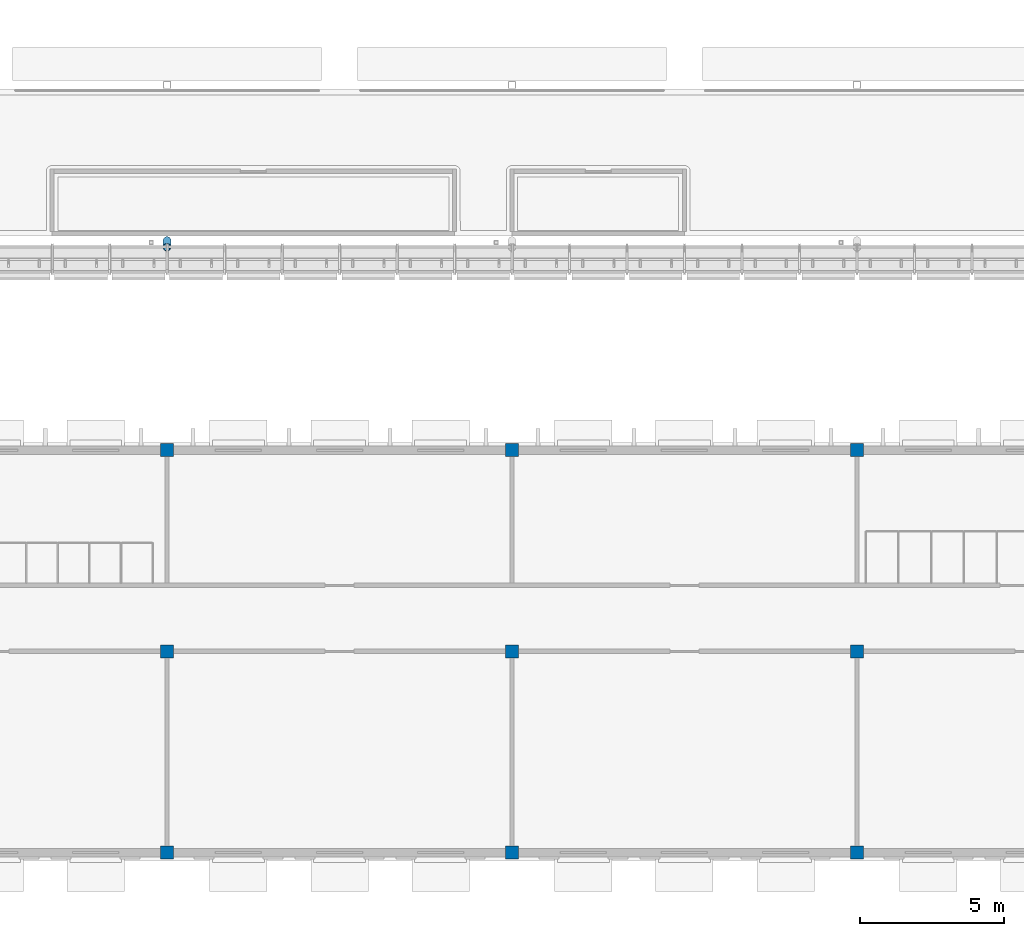
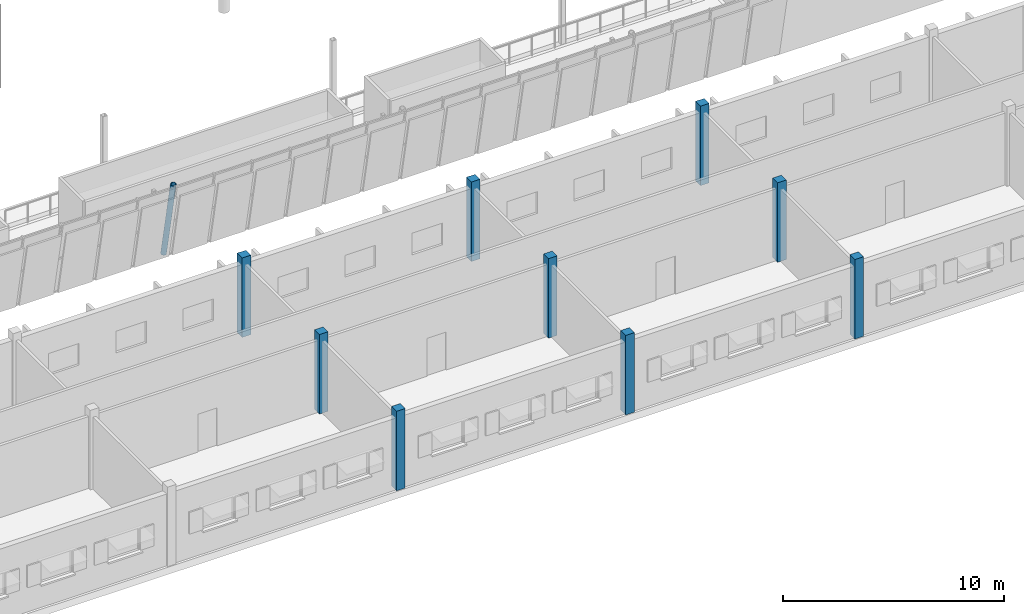
# One storey, part 6 of 115: 10 columns.
"""IFC4 building model written with IfcOpenShell, lengths in metres."""

from ifc_helpers import new_model, si_unit, direction, frame, origin, origin_2d, place, context, subcontext, project, spatial, rectangle, hollow_circle, extrude, material, material_profile, profile_set, type_object, element, save


model = new_model("IFC4")

# Units and contexts
model_context = context("Model", 3, precision=1e-05, world=origin(), true_north=direction((0.0, 1.0)))
body_context = subcontext(model_context, "Body", "Model", "MODEL_VIEW")
ifc_project = project(units=[si_unit("LENGTHUNIT", "METRE"), si_unit("AREAUNIT", "SQUARE_METRE"), si_unit("VOLUMEUNIT", "CUBIC_METRE"), si_unit("PLANEANGLEUNIT", "RADIAN"), si_unit("MASSUNIT", "GRAM", prefix="KILO")], contexts=[model_context])

# Site, building, storey
site_placement = place(None, origin())
site = spatial("IfcSite", under=ifc_project, at=site_placement, CompositionType="ELEMENT")
building_placement = place(site_placement, origin())
building = spatial("IfcBuilding", under=site, at=building_placement, Name="Windward Yard Aquatics Centre", CompositionType="ELEMENT")
storey_placement = place(building_placement, frame((0.0, 0.0, 5.0)))
storey = spatial("IfcBuildingStorey", under=building, at=storey_placement, Name="L01", CompositionType="ELEMENT", Elevation=5.0)

# Columns
ifc_material_1 = material(Name="Concrete C35/45", Category="concrete")
ifc_material_profile_1 = material_profile(ifc_material_1, rectangle(XDim=0.449951171875, YDim=0.449951171875, at=origin_2d()), Name="RC 450X450")
ifc_profile_set_1 = profile_set([ifc_material_profile_1], Name="Concrete C35/45")
column_type_1 = type_object("IfcColumnType", Name="C column RC 450X450", PredefinedType="COLUMN", material=ifc_profile_set_1)
for number, where, z_axis, x_axis, name in (
    (1, (108.0, 5.0, 0.0), (0.0, 0.0, 1.0), (1.0, 0.0, 0.0), "C.COL.L01.6.1"),
    (2, (108.0, 12.0, 0.0), (0.0, 0.0, 1.0), (1.0, 0.0, 0.0), "C.COL.L01.6.2"),
    (3, (108.0, 19.0, 0.0), (0.0, 0.0, 1.0), (1.0, 0.0, 0.0), "C.COL.L01.6.3"),
    (4, (120.0, 5.0, 0.0), (0.0, 0.0, 1.0), (1.0, 0.0, 0.0), "C.COL.L01.7.1"),
    (5, (120.0, 12.0, 0.0), (0.0, 0.0, 1.0), (1.0, 0.0, 0.0), "C.COL.L01.7.2"),
    (6, (120.0, 19.0, 0.0), (0.0, 0.0, 1.0), (1.0, 0.0, 0.0), "C.COL.L01.7.3"),
    (7, (132.0, 5.0, 0.0), (0.0, 0.0, 1.0), (1.0, 0.0, 0.0), "C.COL.L01.8.1"),
    (8, (132.0, 12.0, 0.0), (0.0, 0.0, 1.0), (1.0, 0.0, 0.0), "C.COL.L01.8.2"),
    (9, (132.0, 19.0, 0.0), (0.0, 0.0, 1.0), (1.0, 0.0, 0.0), "C.COL.L01.8.3"),
):
    element("IfcColumn", number, at=place(storey_placement, frame(where, z_axis=z_axis, x_axis=x_axis)), inside=storey, type_object=column_type_1, Name=name, PredefinedType="COLUMN", context=body_context, shape_type="SweptSolid", body=[
        extrude(rectangle(XDim=0.449951171875, YDim=0.449951171875, at=origin_2d()), origin(), (0.0, 0.0, 1.0), 4.39990234375),
    ])
ifc_material_2 = material(Name="Steel ASTM A500 Gr C", Category="steel")
ifc_material_profile_2 = material_profile(ifc_material_2, hollow_circle(Radius=0.136474609375, WallThickness=0.0126953125, at=origin_2d()), Name="HSS273.1X12.7")
ifc_profile_set_2 = profile_set([ifc_material_profile_2], Name="Steel ASTM A500 Gr C")
column_type_2 = type_object("IfcColumnType", Name="H tier 1 leg HSS273.1X12.7", PredefinedType="COLUMN", material=ifc_profile_set_2)
column_placement = place(storey_placement, frame((108.0, 26.29443359375, 0.02734375), z_axis=(0.0, -0.19937683017, 0.979922894717), x_axis=(1.0, 0.0, 0.0)))
element("IfcColumn", 10, at=column_placement, inside=storey, type_object=column_type_2, Name="H.TL.S5.T1A.L01", PredefinedType="COLUMN", context=body_context, shape_type="SweptSolid", body=[
    extrude(hollow_circle(Radius=0.136474609375, WallThickness=0.0126953125, at=origin_2d()), origin(), (0.0, 0.0, 1.0), 4.462158203125),
])

save(model, "model.ifc")
